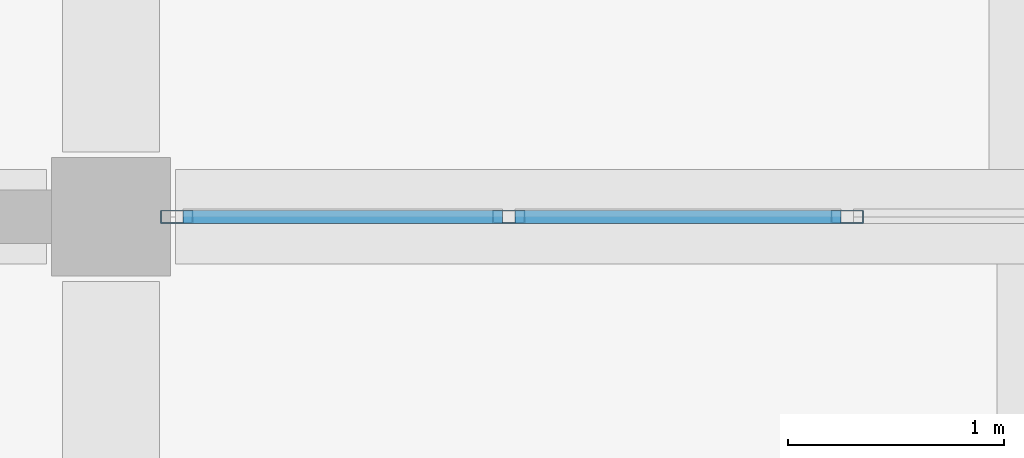
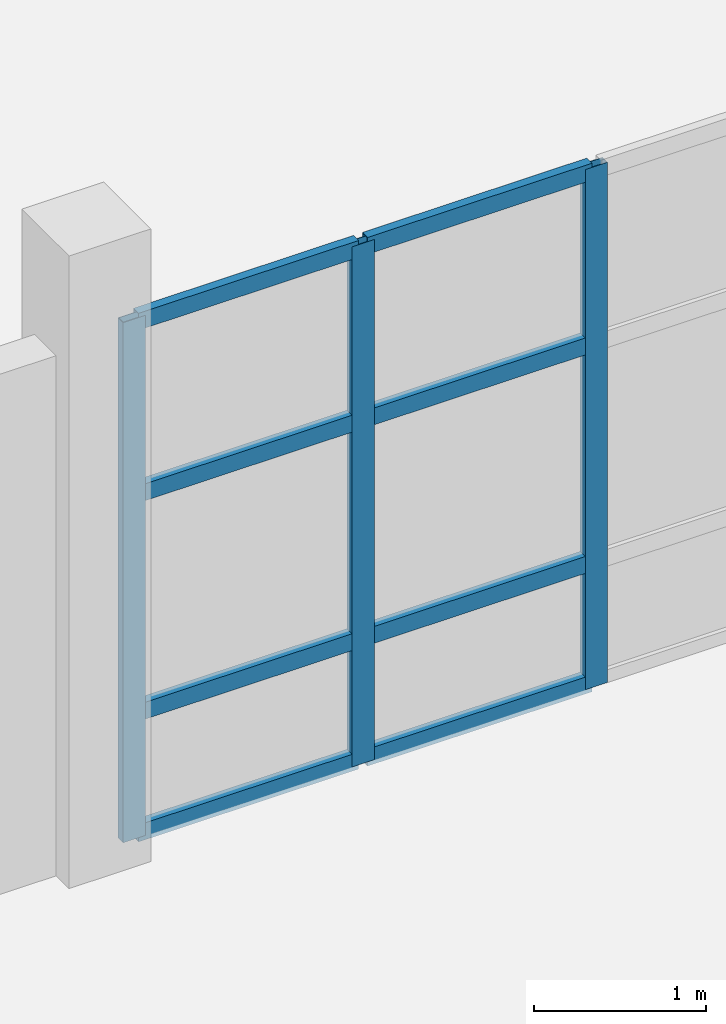
# One storey, part 26 of 67: 11 members, 1 element without a shape of its own.
"""IFC4 building model written with IfcOpenShell, lengths in metres."""

from ifc_helpers import new_model, si_unit, direction, frame, origin, origin_2d, place, context, subcontext, project, spatial, hollow_rectangle, extrude, material, material_profile, profile_set, type_object, element, aggregate, save


model = new_model("IFC4")

# Units and contexts
model_context = context("Model", 3, precision=1e-05, world=origin(), true_north=direction((0.0, 1.0)))
body_context = subcontext(model_context, "Body", "Model", "MODEL_VIEW")
ifc_project = project(units=[si_unit("LENGTHUNIT", "METRE"), si_unit("AREAUNIT", "SQUARE_METRE"), si_unit("VOLUMEUNIT", "CUBIC_METRE"), si_unit("PLANEANGLEUNIT", "RADIAN"), si_unit("MASSUNIT", "GRAM", prefix="KILO")], contexts=[model_context])

# Site, building, storey
site_placement = place(None, origin())
site = spatial("IfcSite", under=ifc_project, at=site_placement, CompositionType="ELEMENT")
building_placement = place(site_placement, origin())
building = spatial("IfcBuilding", under=site, at=building_placement, Name="Pellamere Symphony Hall", CompositionType="ELEMENT")
storey_placement = place(building_placement, frame((0.0, 0.0, 19.5)))
storey = spatial("IfcBuildingStorey", under=building, at=storey_placement, Name="L04", CompositionType="ELEMENT", Elevation=19.5)

# Curtain wall, members
ifc_material_1 = material(Name="Thermally Broken Anodised Aluminium 6063-T6 Curtain Wall", Category="aluminium")
curtain_wall_type = type_object("IfcCurtainWallType", Name="Curtain Wall CW-05 (Artists Wing North Studio Ribbon Curtain Wall)", PredefinedType="NOTDEFINED", material=ifc_material_1)
curtain_wall_placement = place(storey_placement, origin())
curtain_wall = element("IfcCurtainWall", 1, at=curtain_wall_placement, inside=storey, type_object=curtain_wall_type, Name="Artists Wing North Studio Curtain Wall (L04 Bay 2)", PredefinedType="NOTDEFINED")
ifc_material_2 = material(Name="Anodised Architectural Aluminium 6063-T6", Category="aluminium")
ifc_material_profile_1 = material_profile(ifc_material_2, hollow_rectangle(XDim=0.06005859375, YDim=0.14990234375, WallThickness=0.00390625, at=origin_2d()), Name="ALU-M60X150X4")
ifc_profile_set_1 = profile_set([ifc_material_profile_1], Name="Anodised Architectural Aluminium 6063-T6")
member_type_1 = type_object("IfcMemberType", Name="Curtain Wall Mullion ML-03 ALU-M60X150X4", PredefinedType="MULLION", material=ifc_profile_set_1)
member_1_placement = place(storey_placement, frame((156.304931640625, 77.39990234375, 0.0), z_axis=(0.0, 0.0, 1.0), x_axis=(0.0, 1.0, 0.0)))
member_1 = element("IfcMember", 2, at=member_1_placement, type_object=member_type_1, Name="CW5-145 crystal mullion 1", PredefinedType="MULLION", context=body_context, shape_type="SweptSolid", body=[
    extrude(hollow_rectangle(XDim=0.06005859375, YDim=0.14990234375, WallThickness=0.00390625, at=origin_2d()), origin(), (0.0, 0.0, 1.0), 3.699951171875),
])
member_2_placement = place(storey_placement, frame((157.844970703125, 77.39990234375, 0.0), z_axis=(0.0, 0.0, 1.0), x_axis=(0.0, 1.0, 0.0)))
member_2 = element("IfcMember", 3, at=member_2_placement, type_object=member_type_1, Name="CW5-145 crystal mullion 2", PredefinedType="MULLION", context=body_context, shape_type="SweptSolid", body=[
    extrude(hollow_rectangle(XDim=0.06005859375, YDim=0.14990234375, WallThickness=0.00390625, at=origin_2d()), origin(), (0.0, 0.0, 1.0), 3.699951171875),
])
member_3_placement = place(storey_placement, frame((159.4150390625, 77.39990234375, 0.0), z_axis=(0.0, 0.0, 1.0), x_axis=(0.0, 1.0, 0.0)))
member_3 = element("IfcMember", 4, at=member_3_placement, type_object=member_type_1, Name="CW5-145 crystal mullion 3", PredefinedType="MULLION", context=body_context, shape_type="SweptSolid", body=[
    extrude(hollow_rectangle(XDim=0.06005859375, YDim=0.14990234375, WallThickness=0.00390625, at=origin_2d()), origin(), (0.0, 0.0, 1.0), 3.699951171875),
])
ifc_material_profile_2 = material_profile(ifc_material_2, hollow_rectangle(XDim=0.06005859375, YDim=0.1201171875, WallThickness=0.00390625, at=origin_2d()), Name="ALU-T60X120X4")
ifc_profile_set_2 = profile_set([ifc_material_profile_2], Name="Anodised Architectural Aluminium 6063-T6")
member_type_2 = type_object("IfcMemberType", Name="Curtain Wall Transom TR-03 ALU-T60X120X4", PredefinedType="USERDEFINED", material=ifc_profile_set_2)
member_4_placement = place(storey_placement, frame((156.3349609375, 77.39990234375, 0.030029296875), z_axis=(1.0, 0.0, 0.0), x_axis=(0.0, 1.0, 0.0)))
member_4 = element("IfcMember", 5, at=member_4_placement, type_object=member_type_2, Name="CW5-145 crystal transom 1.1", ObjectType="TRANSOM", PredefinedType="USERDEFINED", context=body_context, shape_type="SweptSolid", body=[
    extrude(hollow_rectangle(XDim=0.06005859375, YDim=0.1201171875, WallThickness=0.00390625, at=origin_2d()), origin(), (0.0, 0.0, 1.0), 1.47998046875),
])
member_5_placement = place(storey_placement, frame((156.3349609375, 77.39990234375, 0.887939453125), z_axis=(1.0, 0.0, 0.0), x_axis=(0.0, 1.0, 0.0)))
member_5 = element("IfcMember", 6, at=member_5_placement, type_object=member_type_2, Name="CW5-145 crystal transom 1.2", ObjectType="TRANSOM", PredefinedType="USERDEFINED", context=body_context, shape_type="SweptSolid", body=[
    extrude(hollow_rectangle(XDim=0.06005859375, YDim=0.1201171875, WallThickness=0.00390625, at=origin_2d()), origin(), (0.0, 0.0, 1.0), 1.47998046875),
])
member_6_placement = place(storey_placement, frame((156.3349609375, 77.39990234375, 2.44189453125), z_axis=(1.0, 0.0, 0.0), x_axis=(0.0, 1.0, 0.0)))
member_6 = element("IfcMember", 7, at=member_6_placement, type_object=member_type_2, Name="CW5-145 crystal transom 1.3", ObjectType="TRANSOM", PredefinedType="USERDEFINED", context=body_context, shape_type="SweptSolid", body=[
    extrude(hollow_rectangle(XDim=0.06005859375, YDim=0.1201171875, WallThickness=0.00390625, at=origin_2d()), origin(), (0.0, 0.0, 1.0), 1.47998046875),
])
member_7_placement = place(storey_placement, frame((156.3349609375, 77.39990234375, 3.669921875), z_axis=(1.0, 0.0, 0.0), x_axis=(0.0, 1.0, 0.0)))
member_7 = element("IfcMember", 8, at=member_7_placement, type_object=member_type_2, Name="CW5-145 crystal transom 1.4", ObjectType="TRANSOM", PredefinedType="USERDEFINED", context=body_context, shape_type="SweptSolid", body=[
    extrude(hollow_rectangle(XDim=0.06005859375, YDim=0.1201171875, WallThickness=0.00390625, at=origin_2d()), origin(), (0.0, 0.0, 1.0), 1.47998046875),
])
member_8_placement = place(storey_placement, frame((157.875, 77.39990234375, 0.030029296875), z_axis=(1.0, 0.0, 0.0), x_axis=(0.0, 1.0, 0.0)))
member_8 = element("IfcMember", 9, at=member_8_placement, type_object=member_type_2, Name="CW5-145 crystal transom 2.1", ObjectType="TRANSOM", PredefinedType="USERDEFINED", context=body_context, shape_type="SweptSolid", body=[
    extrude(hollow_rectangle(XDim=0.06005859375, YDim=0.1201171875, WallThickness=0.00390625, at=origin_2d()), origin(), (0.0, 0.0, 1.0), 1.510009765625),
])
member_9_placement = place(storey_placement, frame((157.875, 77.39990234375, 0.887939453125), z_axis=(1.0, 0.0, 0.0), x_axis=(0.0, 1.0, 0.0)))
member_9 = element("IfcMember", 10, at=member_9_placement, type_object=member_type_2, Name="CW5-145 crystal transom 2.2", ObjectType="TRANSOM", PredefinedType="USERDEFINED", context=body_context, shape_type="SweptSolid", body=[
    extrude(hollow_rectangle(XDim=0.06005859375, YDim=0.1201171875, WallThickness=0.00390625, at=origin_2d()), origin(), (0.0, 0.0, 1.0), 1.510009765625),
])
member_10_placement = place(storey_placement, frame((157.875, 77.39990234375, 2.44189453125), z_axis=(1.0, 0.0, 0.0), x_axis=(0.0, 1.0, 0.0)))
member_10 = element("IfcMember", 11, at=member_10_placement, type_object=member_type_2, Name="CW5-145 crystal transom 2.3", ObjectType="TRANSOM", PredefinedType="USERDEFINED", context=body_context, shape_type="SweptSolid", body=[
    extrude(hollow_rectangle(XDim=0.06005859375, YDim=0.1201171875, WallThickness=0.00390625, at=origin_2d()), origin(), (0.0, 0.0, 1.0), 1.510009765625),
])
member_11_placement = place(storey_placement, frame((157.875, 77.39990234375, 3.669921875), z_axis=(1.0, 0.0, 0.0), x_axis=(0.0, 1.0, 0.0)))
member_11 = element("IfcMember", 12, at=member_11_placement, type_object=member_type_2, Name="CW5-145 crystal transom 2.4", ObjectType="TRANSOM", PredefinedType="USERDEFINED", context=body_context, shape_type="SweptSolid", body=[
    extrude(hollow_rectangle(XDim=0.06005859375, YDim=0.1201171875, WallThickness=0.00390625, at=origin_2d()), origin(), (0.0, 0.0, 1.0), 1.510009765625),
])
aggregate(curtain_wall, [member_1, member_2, member_3, member_4, member_5, member_6, member_7, member_8, member_9, member_10, member_11])

save(model, "model.ifc")
